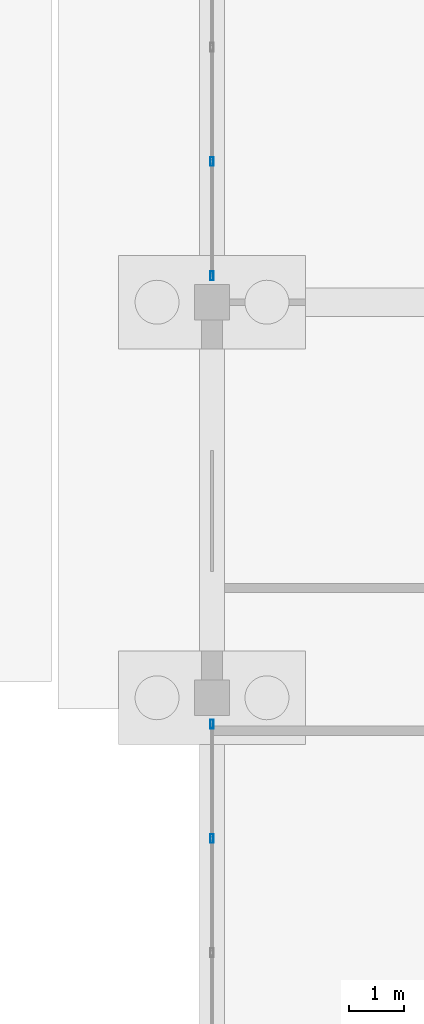
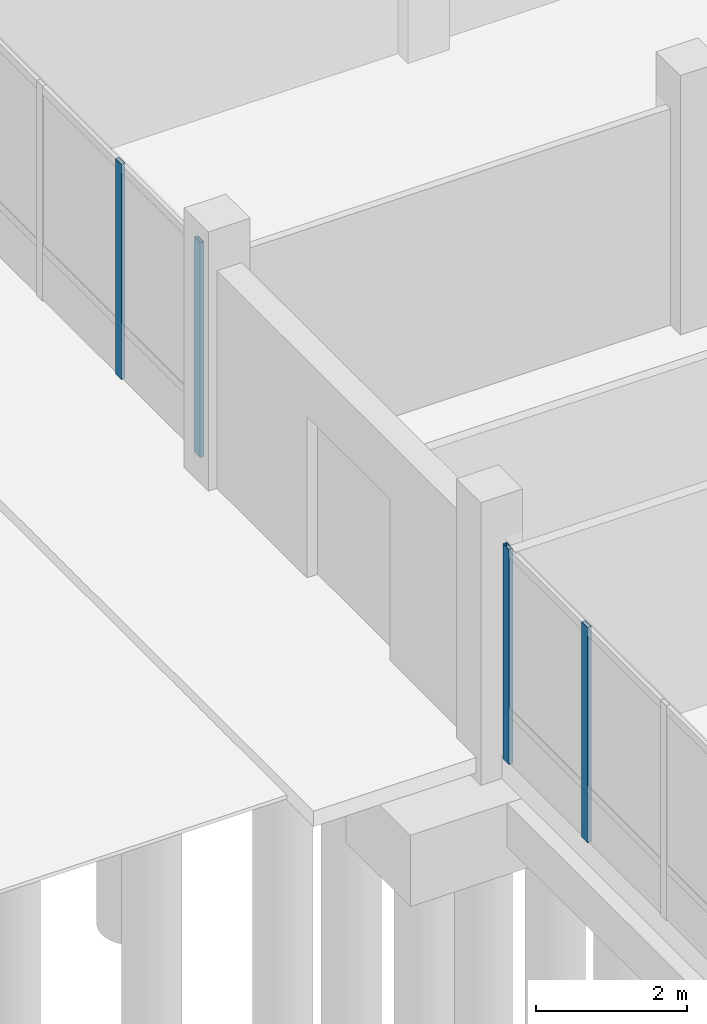
# One storey, part 54 of 98: 4 members, 2 elements without a shape of their own.
"""IFC4 building model written with IfcOpenShell, lengths in metres."""

from ifc_helpers import new_model, si_unit, direction, frame, origin, origin_2d, place, context, subcontext, project, spatial, hollow_rectangle, extrude, material, material_profile, profile_set, type_object, element, aggregate, save


model = new_model("IFC4")

# Units and contexts
model_context = context("Model", 3, precision=1e-05, world=origin(), true_north=direction((0.0, 1.0)))
body_context = subcontext(model_context, "Body", "Model", "MODEL_VIEW")
ifc_project = project(units=[si_unit("LENGTHUNIT", "METRE"), si_unit("AREAUNIT", "SQUARE_METRE"), si_unit("VOLUMEUNIT", "CUBIC_METRE"), si_unit("PLANEANGLEUNIT", "RADIAN"), si_unit("MASSUNIT", "GRAM", prefix="KILO")], contexts=[model_context])

# Site, building, storey
site_placement = place(None, origin())
site = spatial("IfcSite", under=ifc_project, at=site_placement, CompositionType="ELEMENT")
building_placement = place(site_placement, origin())
building = spatial("IfcBuilding", under=site, at=building_placement, Name="Zornivar Specialist Clinic", CompositionType="ELEMENT")
storey_placement = place(building_placement, origin())
storey = spatial("IfcBuildingStorey", under=building, at=storey_placement, Name="L00", CompositionType="ELEMENT", Elevation=0.0)

# Curtain wall, members
ifc_material_1 = material(Name="Aluminium and Low-E Glass Curtain Wall", Category="aluminium")
curtain_wall_type = type_object("IfcCurtainWallType", Name="CW-LAB-NORTH", PredefinedType="NOTDEFINED", material=ifc_material_1)
curtain_wall_1_placement = place(storey_placement, origin())
curtain_wall_1 = element("IfcCurtainWall", 1, at=curtain_wall_1_placement, inside=storey, type_object=curtain_wall_type, Name="cw:V6:L00:18", PredefinedType="NOTDEFINED")
ifc_material_2 = material(Name="Aluminium AW-6060", Category="aluminium")
ifc_material_profile = material_profile(ifc_material_2, hollow_rectangle(XDim=0.06005859375, YDim=0.159912109375, WallThickness=0.00390625, at=origin_2d()), Name="ALU 60x160x4")
ifc_profile_set = profile_set([ifc_material_profile], Name="Aluminium AW-6060")
member_type = type_object("IfcMemberType", Name="CWM-MUL-160", PredefinedType="MULLION", material=ifc_profile_set)
member_1_placement = place(storey_placement, frame((136.800048828125, 88.9599609375, 0.0), z_axis=(0.0, 0.0, 1.0), x_axis=(1.0, 0.0, 0.0)))
member_1 = element("IfcMember", 2, at=member_1_placement, type_object=member_type, Name="cw:V6:L00:18:mul:2", PredefinedType="MULLION", context=body_context, shape_type="SweptSolid", body=[
    extrude(hollow_rectangle(XDim=0.06005859375, YDim=0.159912109375, WallThickness=0.00390625, at=origin_2d()), origin(), (0.0, 0.0, 1.0), 3.469970703125),
])
member_2_placement = place(storey_placement, frame((136.800048828125, 86.8798828125, 0.0), z_axis=(0.0, 0.0, 1.0), x_axis=(1.0, 0.0, 0.0)))
member_2 = element("IfcMember", 3, at=member_2_placement, type_object=member_type, Name="cw:V6:L00:18:mul:3", PredefinedType="MULLION", context=body_context, shape_type="SweptSolid", body=[
    extrude(hollow_rectangle(XDim=0.06005859375, YDim=0.159912109375, WallThickness=0.00390625, at=origin_2d()), origin(), (0.0, 0.0, 1.0), 3.469970703125),
])
aggregate(curtain_wall_1, [member_1, member_2])

curtain_wall_2_placement = place(storey_placement, origin())
curtain_wall_2 = element("IfcCurtainWall", 4, at=curtain_wall_2_placement, inside=storey, type_object=curtain_wall_type, Name="cw:V6:L00:20", PredefinedType="NOTDEFINED")
member_3_placement = place(storey_placement, frame((136.800048828125, 78.719970703125, 0.0), z_axis=(0.0, 0.0, 1.0), x_axis=(1.0, 0.0, 0.0)))
member_3 = element("IfcMember", 5, at=member_3_placement, type_object=member_type, Name="cw:V6:L00:20:mul:0", PredefinedType="MULLION", context=body_context, shape_type="SweptSolid", body=[
    extrude(hollow_rectangle(XDim=0.06005859375, YDim=0.159912109375, WallThickness=0.00390625, at=origin_2d()), origin(), (0.0, 0.0, 1.0), 3.469970703125),
])
member_4_placement = place(storey_placement, frame((136.800048828125, 76.639892578125, 0.0), z_axis=(0.0, 0.0, 1.0), x_axis=(1.0, 0.0, 0.0)))
member_4 = element("IfcMember", 6, at=member_4_placement, type_object=member_type, Name="cw:V6:L00:20:mul:1", PredefinedType="MULLION", context=body_context, shape_type="SweptSolid", body=[
    extrude(hollow_rectangle(XDim=0.06005859375, YDim=0.159912109375, WallThickness=0.00390625, at=origin_2d()), origin(), (0.0, 0.0, 1.0), 3.469970703125),
])
aggregate(curtain_wall_2, [member_3, member_4])

save(model, "model.ifc")
